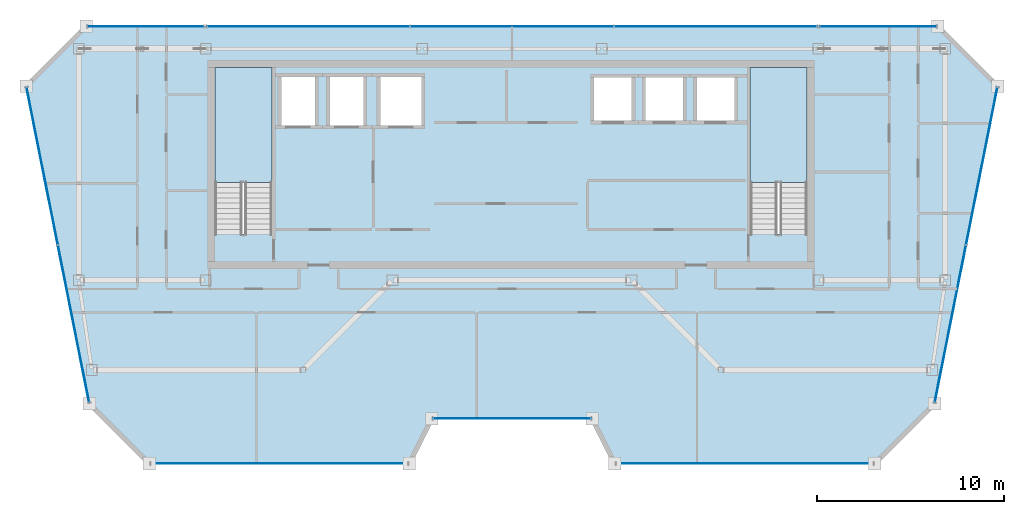
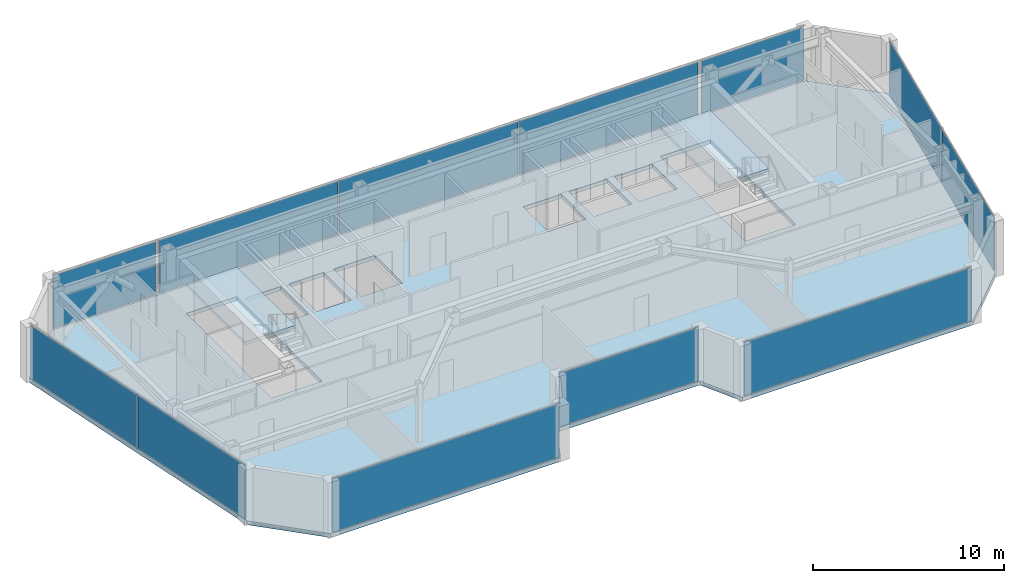
# One storey, part 17 of 23: 12 plates, 3 slabs, 10 elements without a shape of their own.
"""IFC4 building model written with IfcOpenShell, lengths in metres."""

from ifc_helpers import new_model, si_unit, direction, frame, origin, origin_2d, place, context, subcontext, project, spatial, polyline, rectangle, outline, extrude, material, layer, layer_set, type_object, element, aggregate, save


model = new_model("IFC4")

# Units and contexts
model_context = context("Model", 3, precision=1e-05, world=origin(), true_north=direction((0.0, 1.0)))
body_context = subcontext(model_context, "Body", "Model", "MODEL_VIEW")
ifc_project = project(units=[si_unit("LENGTHUNIT", "METRE"), si_unit("AREAUNIT", "SQUARE_METRE"), si_unit("VOLUMEUNIT", "CUBIC_METRE"), si_unit("PLANEANGLEUNIT", "RADIAN"), si_unit("MASSUNIT", "GRAM", prefix="KILO")], contexts=[model_context])

# Site, building, storey
site_placement = place(None, origin())
site = spatial("IfcSite", under=ifc_project, at=site_placement, CompositionType="ELEMENT")
building_placement = place(site_placement, origin())
building = spatial("IfcBuilding", under=site, at=building_placement, Name="Saevonmaru Cultural Tower", CompositionType="ELEMENT")
storey_placement = place(building_placement, frame((0.0, 0.0, 302.800048828125)))
storey = spatial("IfcBuildingStorey", under=building, at=storey_placement, Name="L72", CompositionType="ELEMENT", Elevation=302.800048828125)

# Curtain wall, plate
ifc_material_1 = material(Name="Satin Bronze Anodised Aluminium", Category="aluminium")
curtain_wall_type = type_object("IfcCurtainWallType", Name="CW-TYP-B", PredefinedType="NOTDEFINED", material=ifc_material_1)
curtain_wall_1_placement = place(storey_placement, origin())
curtain_wall_1 = element("IfcCurtainWall", 1, at=curtain_wall_1_placement, inside=storey, type_object=curtain_wall_type, Name="L72 Unitised Curtain Wall E2", PredefinedType="NOTDEFINED")
ifc_material_2 = material(Name="Triple Silver Low-E Insulating Glass", Category="glass")
ifc_layer_1 = layer(ifc_material_2, 0.035888671875, Name="Triple Silver Low-E Insulating Glass")
ifc_layer_set_1 = layer_set([ifc_layer_1], Name="Triple Silver Low-E Insulating Glass")
plate_type_1 = type_object("IfcPlateType", Name="PN-GLZ-IGU", PredefinedType="CURTAIN_PANEL", material=ifc_layer_set_1)
plate_1_placement = place(storey_placement, frame((17.5400390625, 32.60009765625, 0.06689453125), z_axis=(0.0, 0.0, 1.0), x_axis=(1.0, 0.0, 0.0)))
plate_1 = element("IfcPlate", 2, at=plate_1_placement, type_object=plate_type_1, Name="CW-TW-L72-E2 panel 1.1", PredefinedType="CURTAIN_PANEL", context=body_context, shape_type="SweptSolid", body=[
    extrude(rectangle(XDim=13.73095703125, YDim=0.035888671875, at=origin_2d()), origin(), (0.0, 0.0, 1.0), 3.416015625),
])
aggregate(curtain_wall_1, [plate_1])

curtain_wall_2_placement = place(storey_placement, origin())
curtain_wall_2 = element("IfcCurtainWall", 3, at=curtain_wall_2_placement, inside=storey, type_object=curtain_wall_type, Name="L72 Unitised Curtain Wall E4", PredefinedType="NOTDEFINED")
plate_2_placement = place(storey_placement, frame((30.0, 35.0, 0.06689453125), z_axis=(0.0, 0.0, 1.0), x_axis=(1.0, 0.0, 0.0)))
plate_2 = element("IfcPlate", 4, at=plate_2_placement, type_object=plate_type_1, Name="CW-TW-L72-E4 panel 1.1", PredefinedType="CURTAIN_PANEL", context=body_context, shape_type="SweptSolid", body=[
    extrude(rectangle(XDim=8.410888671875, YDim=0.035888671875, at=origin_2d()), origin(), (0.0, 0.0, 1.0), 3.416015625),
])
aggregate(curtain_wall_2, [plate_2])

curtain_wall_3_placement = place(storey_placement, origin())
curtain_wall_3 = element("IfcCurtainWall", 5, at=curtain_wall_3_placement, inside=storey, type_object=curtain_wall_type, Name="L72 Unitised Curtain Wall E6", PredefinedType="NOTDEFINED")
plate_3_placement = place(storey_placement, frame((42.4599609375, 32.60009765625, 0.06689453125), z_axis=(0.0, 0.0, 1.0), x_axis=(1.0, 0.0, 0.0)))
plate_3 = element("IfcPlate", 6, at=plate_3_placement, type_object=plate_type_1, Name="CW-TW-L72-E6 panel 1.1", PredefinedType="CURTAIN_PANEL", context=body_context, shape_type="SweptSolid", body=[
    extrude(rectangle(XDim=13.73095703125, YDim=0.035888671875, at=origin_2d()), origin(), (0.0, 0.0, 1.0), 3.416015625),
])
aggregate(curtain_wall_3, [plate_3])

# Curtain wall, plates
curtain_wall_4_placement = place(storey_placement, origin())
curtain_wall_4 = element("IfcCurtainWall", 7, at=curtain_wall_4_placement, inside=storey, type_object=curtain_wall_type, Name="L72 Unitised Curtain Wall E8", PredefinedType="NOTDEFINED")
plate_4_placement = place(storey_placement, frame((53.470947265625, 40.079345703125, 0.06689453125), z_axis=(0.0, 0.0, 1.0), x_axis=(0.195005484813, 0.980802151758, 0.0)))
plate_4 = element("IfcPlate", 8, at=plate_4_placement, type_object=plate_type_1, Name="CW-TW-L72-E8 panel 1.1", PredefinedType="CURTAIN_PANEL", context=body_context, shape_type="SweptSolid", body=[
    extrude(rectangle(XDim=8.537353515625, YDim=0.035888671875, at=origin_2d()), origin(), (0.0, 0.0, 1.0), 3.416015625),
])
plate_5_placement = place(storey_placement, frame((55.149169921875, 48.5205078125, 0.06689453125), z_axis=(0.0, 0.0, 1.0), x_axis=(0.195005484813, 0.980802151758, 0.0)))
plate_5 = element("IfcPlate", 9, at=plate_5_placement, type_object=plate_type_1, Name="CW-TW-L72-E8 panel 2.1", PredefinedType="CURTAIN_PANEL", context=body_context, shape_type="SweptSolid", body=[
    extrude(rectangle(XDim=8.537353515625, YDim=0.035888671875, at=origin_2d()), origin(), (0.0, 0.0, 1.0), 3.416015625),
])
aggregate(curtain_wall_4, [plate_4, plate_5])

curtain_wall_5_placement = place(storey_placement, origin())
curtain_wall_5 = element("IfcCurtainWall", 10, at=curtain_wall_5_placement, inside=storey, type_object=curtain_wall_type, Name="L72 North Spine Unitised Curtain Wall E10B", PredefinedType="NOTDEFINED")
plate_6_placement = place(storey_placement, frame((40.893310546875, 56.0, 0.06689453125), z_axis=(0.0, 0.0, 1.0), x_axis=(-1.0, 0.0, 0.0)))
plate_6 = element("IfcPlate", 11, at=plate_6_placement, type_object=plate_type_1, Name="CW-TW-L72-E10B panel 1.1", PredefinedType="CURTAIN_PANEL", context=body_context, shape_type="SweptSolid", body=[
    extrude(rectangle(XDim=10.82421875, YDim=0.035888671875, at=origin_2d()), origin(), (0.0, 0.0, 1.0), 3.416015625),
])
plate_7_placement = place(storey_placement, frame((30.0, 56.0, 0.06689453125), z_axis=(0.0, 0.0, 1.0), x_axis=(-1.0, 0.0, 0.0)))
plate_7 = element("IfcPlate", 12, at=plate_7_placement, type_object=plate_type_1, Name="CW-TW-L72-E10B panel 2.1", PredefinedType="CURTAIN_PANEL", context=body_context, shape_type="SweptSolid", body=[
    extrude(rectangle(XDim=10.82421875, YDim=0.035888671875, at=origin_2d()), origin(), (0.0, 0.0, 1.0), 3.416015625),
])
plate_8_placement = place(storey_placement, frame((19.106689453125, 56.0, 0.06689453125), z_axis=(0.0, 0.0, 1.0), x_axis=(-1.0, 0.0, 0.0)))
plate_8 = element("IfcPlate", 13, at=plate_8_placement, type_object=plate_type_1, Name="CW-TW-L72-E10B panel 3.1", PredefinedType="CURTAIN_PANEL", context=body_context, shape_type="SweptSolid", body=[
    extrude(rectangle(XDim=10.82421875, YDim=0.035888671875, at=origin_2d()), origin(), (0.0, 0.0, 1.0), 3.416015625),
])
aggregate(curtain_wall_5, [plate_6, plate_7, plate_8])

curtain_wall_6_placement = place(storey_placement, origin())
curtain_wall_6 = element("IfcCurtainWall", 14, at=curtain_wall_6_placement, inside=storey, type_object=curtain_wall_type, Name="L72 Unitised Curtain Wall E12", PredefinedType="NOTDEFINED")
plate_9_placement = place(storey_placement, frame((4.850830078125, 48.5205078125, 0.06689453125), z_axis=(0.0, 0.0, 1.0), x_axis=(0.195005484813, -0.980802151758, 0.0)))
plate_9 = element("IfcPlate", 15, at=plate_9_placement, type_object=plate_type_1, Name="CW-TW-L72-E12 panel 1.1", PredefinedType="CURTAIN_PANEL", context=body_context, shape_type="SweptSolid", body=[
    extrude(rectangle(XDim=8.537353515625, YDim=0.035888671875, at=origin_2d()), origin(), (0.0, 0.0, 1.0), 3.416015625),
])
plate_10_placement = place(storey_placement, frame((6.529052734375, 40.079345703125, 0.06689453125), z_axis=(0.0, 0.0, 1.0), x_axis=(0.195005484813, -0.980802151758, 0.0)))
plate_10 = element("IfcPlate", 16, at=plate_10_placement, type_object=plate_type_1, Name="CW-TW-L72-E12 panel 2.1", PredefinedType="CURTAIN_PANEL", context=body_context, shape_type="SweptSolid", body=[
    extrude(rectangle(XDim=8.537353515625, YDim=0.035888671875, at=origin_2d()), origin(), (0.0, 0.0, 1.0), 3.416015625),
])
aggregate(curtain_wall_6, [plate_9, plate_10])

# Curtain wall, plate
curtain_wall_7_placement = place(storey_placement, origin())
curtain_wall_7 = element("IfcCurtainWall", 17, at=curtain_wall_7_placement, inside=storey, type_object=curtain_wall_type, Name="L72 East Braced Bay Spandrel Curtain Wall E10A", PredefinedType="NOTDEFINED")
ifc_material_3 = material(Name="Insulated Satin Bronze Aluminium Spandrel Panel", Category="aluminium")
ifc_layer_2 = layer(ifc_material_3, 0.0400390625, Name="Insulated Satin Bronze Aluminium Spandrel Panel")
ifc_layer_set_2 = layer_set([ifc_layer_2], Name="Insulated Satin Bronze Aluminium Spandrel Panel")
plate_type_2 = type_object("IfcPlateType", Name="PN-SPANDREL-BRONZE", PredefinedType="CURTAIN_PANEL", material=ifc_layer_set_2)
plate_11_placement = place(storey_placement, frame((49.60009765625, 56.0, 0.06689453125), z_axis=(0.0, 0.0, 1.0), x_axis=(-1.0, 0.0, 0.0)))
plate_11 = element("IfcPlate", 18, at=plate_11_placement, type_object=plate_type_2, Name="CW-TW-L72-E10A panel 1.1", PredefinedType="CURTAIN_PANEL", context=body_context, shape_type="SweptSolid", body=[
    extrude(rectangle(XDim=6.2109375, YDim=0.035888671875, at=origin_2d()), origin(), (0.0, 0.0, 1.0), 3.416015625),
])
aggregate(curtain_wall_7, [plate_11])

curtain_wall_8_placement = place(storey_placement, origin())
curtain_wall_8 = element("IfcCurtainWall", 19, at=curtain_wall_8_placement, inside=storey, type_object=curtain_wall_type, Name="L72 West Braced Bay Spandrel Curtain Wall E10C", PredefinedType="NOTDEFINED")
plate_12_placement = place(storey_placement, frame((10.39990234375, 56.0, 0.06689453125), z_axis=(0.0, 0.0, 1.0), x_axis=(-1.0, 0.0, 0.0)))
plate_12 = element("IfcPlate", 20, at=plate_12_placement, type_object=plate_type_2, Name="CW-TW-L72-E10C panel 1.1", PredefinedType="CURTAIN_PANEL", context=body_context, shape_type="SweptSolid", body=[
    extrude(rectangle(XDim=6.2109375, YDim=0.035888671875, at=origin_2d()), origin(), (0.0, 0.0, 1.0), 3.416015625),
])
aggregate(curtain_wall_8, [plate_12])

# Slab
ifc_material_4 = material(Name="Concrete C40/50", Category="concrete")
ifc_layer_3 = layer(ifc_material_4, 0.25, Name="Concrete C40/50")
ifc_layer_set_3 = layer_set([ifc_layer_3], Name="Concrete C40/50")
slab_type_1 = type_object("IfcSlabType", Name="SL-FLR-250", PredefinedType="FLOOR", material=ifc_layer_set_3)
slab_1_placement = place(storey_placement, frame((0.0, 0.0, -0.25)))
element("IfcSlab", 21, at=slab_1_placement, inside=storey, type_object=slab_type_1, Name="L72 Tower Structural Floor Slab", PredefinedType="FLOOR", context=body_context, shape_type="SweptSolid", body=[
    extrude(outline(polyline([(7.3798828125, 35.800048828125), (10.580078125, 32.60009765625), (24.5, 32.60009765625), (25.699951171875, 35.0), (34.300048828125, 35.0), (35.5, 32.60009765625), (49.419921875, 32.60009765625), (52.6201171875, 35.800048828125), (56.0, 52.800048828125), (52.800048828125, 56.0), (7.199951171875, 56.0), (4.0, 52.800048828125), (7.3798828125, 35.800048828125)]), holes=[polyline([(45.800048828125, 53.800048828125), (45.800048828125, 44.875), (42.75, 44.875), (42.75, 53.800048828125), (45.800048828125, 53.800048828125)]), polyline([(42.050048828125, 50.800048828125), (39.75, 50.800048828125), (39.75, 53.39990234375), (42.050048828125, 53.39990234375), (42.050048828125, 50.800048828125)]), polyline([(39.300048828125, 50.800048828125), (37.0, 50.800048828125), (37.0, 53.39990234375), (39.300048828125, 53.39990234375), (39.300048828125, 50.800048828125)]), polyline([(36.550048828125, 50.800048828125), (34.25, 50.800048828125), (34.25, 53.39990234375), (36.550048828125, 53.39990234375), (36.550048828125, 50.800048828125)]), polyline([(25.300048828125, 50.550048828125), (22.800048828125, 50.550048828125), (22.800048828125, 53.449951171875), (25.300048828125, 53.449951171875), (25.300048828125, 50.550048828125)]), polyline([(22.199951171875, 50.550048828125), (20.10009765625, 50.550048828125), (20.10009765625, 53.449951171875), (22.199951171875, 53.449951171875), (22.199951171875, 50.550048828125)]), polyline([(19.60009765625, 50.550048828125), (17.5, 50.550048828125), (17.5, 53.449951171875), (19.60009765625, 53.449951171875), (19.60009765625, 50.550048828125)]), polyline([(17.14990234375, 53.800048828125), (17.14990234375, 44.875), (14.10009765625, 44.875), (14.10009765625, 53.800048828125), (17.14990234375, 53.800048828125)])]), origin(), (0.0, 0.0, 1.0), 0.25),
])

# Stair, slab
stair_type = type_object("IfcStairType", Name="STR-DOGLEG-RC", PredefinedType="HALF_TURN_STAIR", material=ifc_material_4)
stair_1_placement = place(storey_placement, origin())
stair_1 = element("IfcStair", 22, at=stair_1_placement, inside=storey, type_object=stair_type, Name="L72 Protected exit stair ST-1", PredefinedType="HALF_TURN_STAIR")
ifc_layer_4 = layer(ifc_material_4, 0.199951171875, Name="Concrete C40/50")
ifc_layer_set_4 = layer_set([ifc_layer_4], Name="Concrete C40/50")
slab_type_2 = type_object("IfcSlabType", Name="SL-STAIR-LANDING", PredefinedType="LANDING", material=ifc_layer_set_4)
slab_2_placement = place(storey_placement, frame((0.0, 0.0, 1.699951171875)))
slab_2 = element("IfcSlab", 23, at=slab_2_placement, type_object=slab_type_2, Name="ST-1-L72 landing 1", PredefinedType="LANDING", context=body_context, shape_type="SweptSolid", body=[
    extrude(outline(polyline([(17.14990234375, 47.64990234375), (17.14990234375, 53.800048828125), (14.10009765625, 53.800048828125), (14.10009765625, 47.64990234375), (17.14990234375, 47.64990234375)])), origin(), (0.0, 0.0, 1.0), 0.199951171875),
])
aggregate(stair_1, [slab_2])

stair_2_placement = place(storey_placement, origin())
stair_2 = element("IfcStair", 24, at=stair_2_placement, inside=storey, type_object=stair_type, Name="L72 Protected exit stair ST-2", PredefinedType="HALF_TURN_STAIR")
slab_3_placement = place(storey_placement, frame((0.0, 0.0, 1.699951171875)))
slab_3 = element("IfcSlab", 25, at=slab_3_placement, type_object=slab_type_2, Name="ST-2-L72 landing 1", PredefinedType="LANDING", context=body_context, shape_type="SweptSolid", body=[
    extrude(outline(polyline([(45.800048828125, 47.64990234375), (45.800048828125, 53.800048828125), (42.75, 53.800048828125), (42.75, 47.64990234375), (45.800048828125, 47.64990234375)])), origin(), (0.0, 0.0, 1.0), 0.199951171875),
])
aggregate(stair_2, [slab_3])

save(model, "model.ifc")
